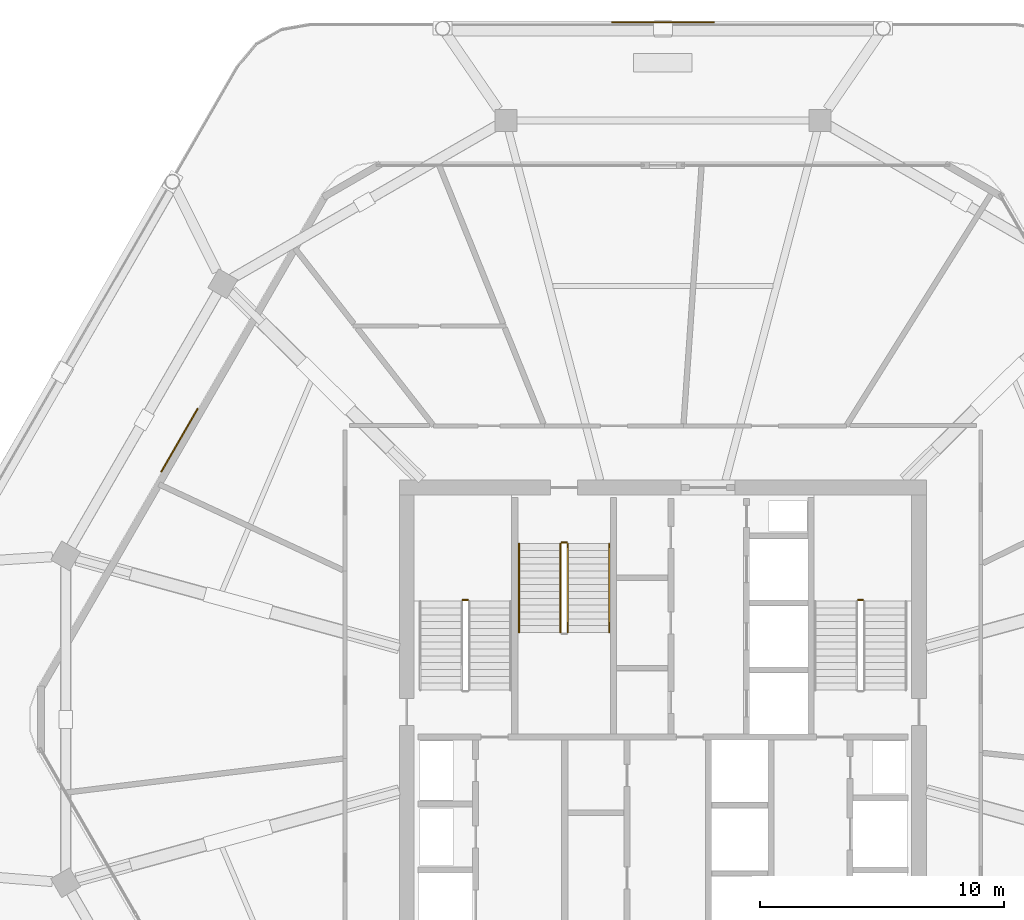
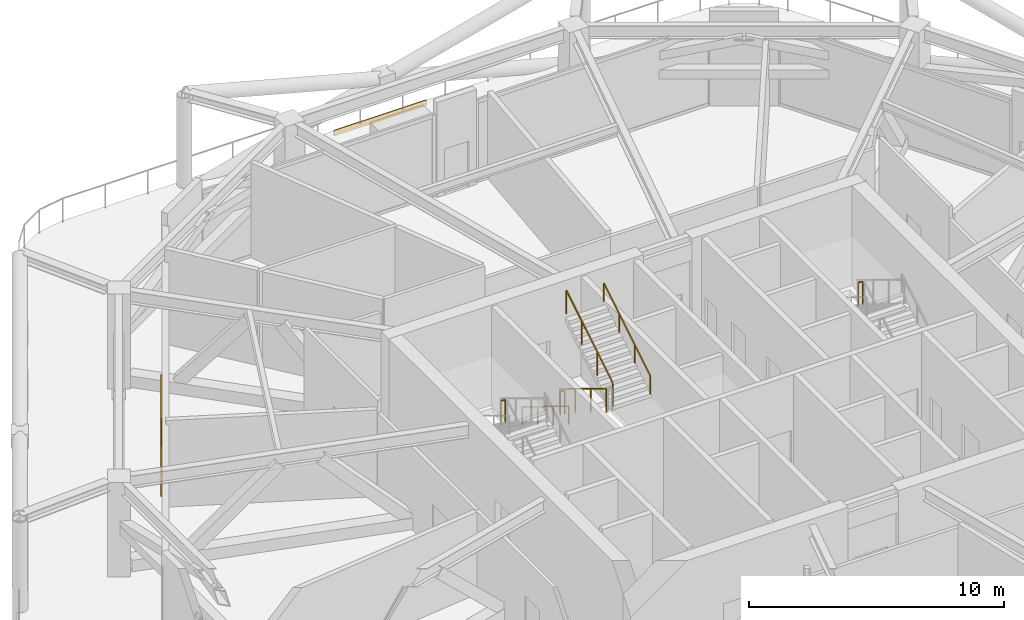
# One storey, part 19 of 20: 7 railings, 1 covering, 1 shading device.
"""IFC4 building model written with IfcOpenShell, lengths in metres."""

from ifc_helpers import new_model, si_unit, direction, frame, origin, origin_2d, place, context, subcontext, project, spatial, rectangle, extrude, material, layer, layer_set, type_object, element, save


model = new_model("IFC4")

# Units and contexts
model_context = context("Model", 3, precision=1e-05, world=origin(), true_north=direction((0.0, 1.0)))
body_context = subcontext(model_context, "Body", "Model", "MODEL_VIEW")
ifc_project = project(units=[si_unit("LENGTHUNIT", "METRE"), si_unit("AREAUNIT", "SQUARE_METRE"), si_unit("VOLUMEUNIT", "CUBIC_METRE"), si_unit("PLANEANGLEUNIT", "RADIAN"), si_unit("MASSUNIT", "GRAM", prefix="KILO")], contexts=[model_context])

# Site, building, storey
site_placement = place(None, origin())
site = spatial("IfcSite", under=ifc_project, at=site_placement, CompositionType="ELEMENT")
building_placement = place(site_placement, origin())
building = spatial("IfcBuilding", under=site, at=building_placement, Name="Zuhravey Tower", CompositionType="ELEMENT")
storey_placement = place(building_placement, frame((0.0, 0.0, 226.39990234375)))
storey = spatial("IfcBuildingStorey", under=building, at=storey_placement, Name="L57", CompositionType="ELEMENT", Elevation=226.39990234375)

# Shading device
ifc_material_1 = material(Name="Bronze-anodised perforated aluminium", Category="aluminium")
ifc_layer_1 = layer(ifc_material_1, 0.06005859375)
ifc_layer_set_1 = layer_set([ifc_layer_1], Name="Bronze-anodised perforated aluminium")
shading_device_type = type_object("IfcShadingDeviceType", Name="Girih Mashrabiya Solar Screen", PredefinedType="USERDEFINED", material=ifc_layer_set_1)
shading_device_placement = place(storey_placement, frame((16.18212890625, 43.44189453125, 0.10009765625), z_axis=(0.0, 0.0, 1.0), x_axis=(0.5, 0.866025403784, 0.0)))
element("IfcShadingDevice", 1, at=shading_device_placement, inside=storey, type_object=shading_device_type, Name="L57 Face 3 Girih Solar Screen SCR1", ObjectType="SCREEN", PredefinedType="USERDEFINED", context=body_context, shape_type="SweptSolid", body=[
    extrude(rectangle(XDim=3.0, YDim=0.06005859375, at=origin_2d()), origin(), (0.0, 0.0, 1.0), 3.72998046875),
])

# Covering
ifc_material_2 = material(Name="Architectural GRC cladding panel")
ifc_layer_2 = layer(ifc_material_2, 0.048095703125)
ifc_layer_set_2 = layer_set([ifc_layer_2], Name="Architectural GRC cladding panel")
covering_type = type_object("IfcCoveringType", Name="Precast Girih Spandrel Cladding CLD2", PredefinedType="CLADDING", material=ifc_layer_set_2)
covering_placement = place(storey_placement, frame((36.0, 60.57763671875, -0.259765625), z_axis=(0.0, 0.0, 1.0), x_axis=(1.0, 0.0, 0.0)))
element("IfcCovering", 2, at=covering_placement, inside=storey, type_object=covering_type, Name="L57 Face 2 Girih Spandrel Cladding CLD2", PredefinedType="CLADDING", context=body_context, shape_type="SweptSolid", body=[
    extrude(rectangle(XDim=4.199951171875, YDim=0.048095703125, at=origin_2d()), origin(), (0.0, 0.0, 1.0), 0.260009765625),
])

# Railings
ifc_material_3 = material(Name="Brushed stainless steel", Category="steel")
railing_type_1 = type_object("IfcRailingType", Name="Stair Wall Handrail 900", PredefinedType="HANDRAIL", material=ifc_material_3)
railing_1_placement = place(storey_placement, frame((30.10009765625, 39.199951171875, 0.171630859375)))
element("IfcRailing", 3, at=railing_1_placement, inside=storey, type_object=railing_type_1, Name="L57 ST3 stair handrail 1", PredefinedType="HANDRAIL", context=body_context, shape_type="SweptSolid", body=[
    extrude(rectangle(XDim=0.048095703125, YDim=0.048095703125, at=origin_2d()), frame((0.0, -0.001708984375, 0.876953125), z_axis=(0.0, -0.852850264322, 0.5221555579), x_axis=(1.0, 0.0, 0.0)), (0.0, 0.0, 1.0), 4.263916015625),
    extrude(rectangle(XDim=0.0419921875, YDim=0.0419921875, at=origin_2d()), origin(), (0.0, 0.0, 1.0), 0.849853515625),
    extrude(rectangle(XDim=0.0419921875, YDim=0.0419921875, at=origin_2d()), frame((0.0, -1.21337890625, 0.742919921875)), (0.0, 0.0, 1.0), 0.849853515625),
    extrude(rectangle(XDim=0.0419921875, YDim=0.0419921875, at=origin_2d()), frame((0.0, -2.426513671875, 1.485595703125)), (0.0, 0.0, 1.0), 0.849853515625),
    extrude(rectangle(XDim=0.0419921875, YDim=0.0419921875, at=origin_2d()), frame((0.0, -3.639892578125, 2.228515625)), (0.0, 0.0, 1.0), 0.849853515625),
])
railing_2_placement = place(storey_placement, frame((33.800048828125, 35.56005859375, 2.571533203125)))
element("IfcRailing", 4, at=railing_2_placement, inside=storey, type_object=railing_type_1, Name="L57 ST3 stair handrail 2", PredefinedType="HANDRAIL", context=body_context, shape_type="SweptSolid", body=[
    extrude(rectangle(XDim=0.048095703125, YDim=0.048095703125, at=origin_2d()), frame((0.0, 0.001708984375, 0.876953125), z_axis=(0.0, 0.852850264322, 0.5221555579), x_axis=(-1.0, 0.0, 0.0)), (0.0, 0.0, 1.0), 4.263916015625),
    extrude(rectangle(XDim=0.0419921875, YDim=0.0419921875, at=origin_2d()), origin(), (0.0, 0.0, 1.0), 0.849853515625),
    extrude(rectangle(XDim=0.0419921875, YDim=0.0419921875, at=origin_2d()), frame((0.0, 1.21337890625, 0.742919921875)), (0.0, 0.0, 1.0), 0.849853515625),
    extrude(rectangle(XDim=0.0419921875, YDim=0.0419921875, at=origin_2d()), frame((0.0, 2.426513671875, 1.485595703125)), (0.0, 0.0, 1.0), 0.849853515625),
    extrude(rectangle(XDim=0.0419921875, YDim=0.0419921875, at=origin_2d()), frame((0.0, 3.639892578125, 2.228515625)), (0.0, 0.0, 1.0), 0.849853515625),
])
ifc_material_4 = material(Name="Painted tubular steel", Category="steel")
railing_type_2 = type_object("IfcRailingType", Name="Stair Well Guardrail 1150", PredefinedType="GUARDRAIL", material=ifc_material_4)
for number, where, name in (
    (5, (28.0, 36.889892578125, 2.400146484375), "L57 ST1 stair guard 2"),
    (6, (44.199951171875, 36.889892578125, 2.400146484375), "L57 ST2 stair guard 2"),
):
    element("IfcRailing", number, at=place(storey_placement, frame(where)), inside=storey, type_object=railing_type_2, Name=name, PredefinedType="GUARDRAIL", context=body_context, shape_type="SweptSolid", body=[
        extrude(rectangle(XDim=0.048095703125, YDim=0.048095703125, at=origin_2d()), frame((-0.001953125, 0.0, 1.1259765625), z_axis=(-1.0, 0.0, 0.0), x_axis=(0.0, -1.0, 0.0)), (0.0, 0.0, 1.0), 0.196044921875),
        extrude(rectangle(XDim=0.0419921875, YDim=0.0419921875, at=origin_2d()), origin(), (0.0, 0.0, 1.0), 1.099853515625),
        extrude(rectangle(XDim=0.0419921875, YDim=0.0419921875, at=origin_2d()), frame((-0.199951171875, 0.0, 0.0)), (0.0, 0.0, 1.0), 1.099853515625),
    ])
railing_3_placement = place(storey_placement, frame((31.800048828125, 39.199951171875, 0.171630859375)))
element("IfcRailing", 7, at=railing_3_placement, inside=storey, type_object=railing_type_2, Name="L57 ST3 stair guard 1", PredefinedType="GUARDRAIL", context=body_context, shape_type="SweptSolid", body=[
    extrude(rectangle(XDim=0.048095703125, YDim=0.048095703125, at=origin_2d()), frame((0.0, -0.001708984375, 1.126953125), z_axis=(0.0, -0.852850264322, 0.5221555579), x_axis=(1.0, 0.0, 0.0)), (0.0, 0.0, 1.0), 4.263916015625),
    extrude(rectangle(XDim=0.0419921875, YDim=0.0419921875, at=origin_2d()), origin(), (0.0, 0.0, 1.0), 1.099853515625),
    extrude(rectangle(XDim=0.0419921875, YDim=0.0419921875, at=origin_2d()), frame((0.0, -1.21337890625, 0.742919921875)), (0.0, 0.0, 1.0), 1.099853515625),
    extrude(rectangle(XDim=0.0419921875, YDim=0.0419921875, at=origin_2d()), frame((0.0, -2.426513671875, 1.485595703125)), (0.0, 0.0, 1.0), 1.099853515625),
    extrude(rectangle(XDim=0.0419921875, YDim=0.0419921875, at=origin_2d()), frame((0.0, -3.639892578125, 2.228515625)), (0.0, 0.0, 1.0), 1.099853515625),
])
railing_4_placement = place(storey_placement, frame((32.10009765625, 35.56005859375, 2.571533203125)))
element("IfcRailing", 8, at=railing_4_placement, inside=storey, type_object=railing_type_2, Name="L57 ST3 stair guard 3", PredefinedType="GUARDRAIL", context=body_context, shape_type="SweptSolid", body=[
    extrude(rectangle(XDim=0.048095703125, YDim=0.048095703125, at=origin_2d()), frame((0.0, 0.001708984375, 1.126953125), z_axis=(0.0, 0.852850264322, 0.5221555579), x_axis=(-1.0, 0.0, 0.0)), (0.0, 0.0, 1.0), 4.263916015625),
    extrude(rectangle(XDim=0.0419921875, YDim=0.0419921875, at=origin_2d()), origin(), (0.0, 0.0, 1.0), 1.099853515625),
    extrude(rectangle(XDim=0.0419921875, YDim=0.0419921875, at=origin_2d()), frame((0.0, 1.21337890625, 0.742919921875)), (0.0, 0.0, 1.0), 1.099853515625),
    extrude(rectangle(XDim=0.0419921875, YDim=0.0419921875, at=origin_2d()), frame((0.0, 2.426513671875, 1.485595703125)), (0.0, 0.0, 1.0), 1.099853515625),
    extrude(rectangle(XDim=0.0419921875, YDim=0.0419921875, at=origin_2d()), frame((0.0, 3.639892578125, 2.228515625)), (0.0, 0.0, 1.0), 1.099853515625),
])
railing_5_placement = place(storey_placement, frame((31.85009765625, 39.25, 0.0)))
element("IfcRailing", 9, at=railing_5_placement, inside=storey, type_object=railing_type_2, Name="L57 ST3 stair guard 4", PredefinedType="GUARDRAIL", context=body_context, shape_type="SweptSolid", body=[
    extrude(rectangle(XDim=0.048095703125, YDim=0.048095703125, at=origin_2d()), frame((0.001953125, 0.0, 1.1259765625), z_axis=(1.0, 0.0, 0.0), x_axis=(0.0, 1.0, 0.0)), (0.0, 0.0, 1.0), 0.196044921875),
    extrude(rectangle(XDim=0.0419921875, YDim=0.0419921875, at=origin_2d()), origin(), (0.0, 0.0, 1.0), 1.099853515625),
    extrude(rectangle(XDim=0.0419921875, YDim=0.0419921875, at=origin_2d()), frame((0.199951171875, 0.0, 0.0)), (0.0, 0.0, 1.0), 1.099853515625),
])

save(model, "model.ifc")
